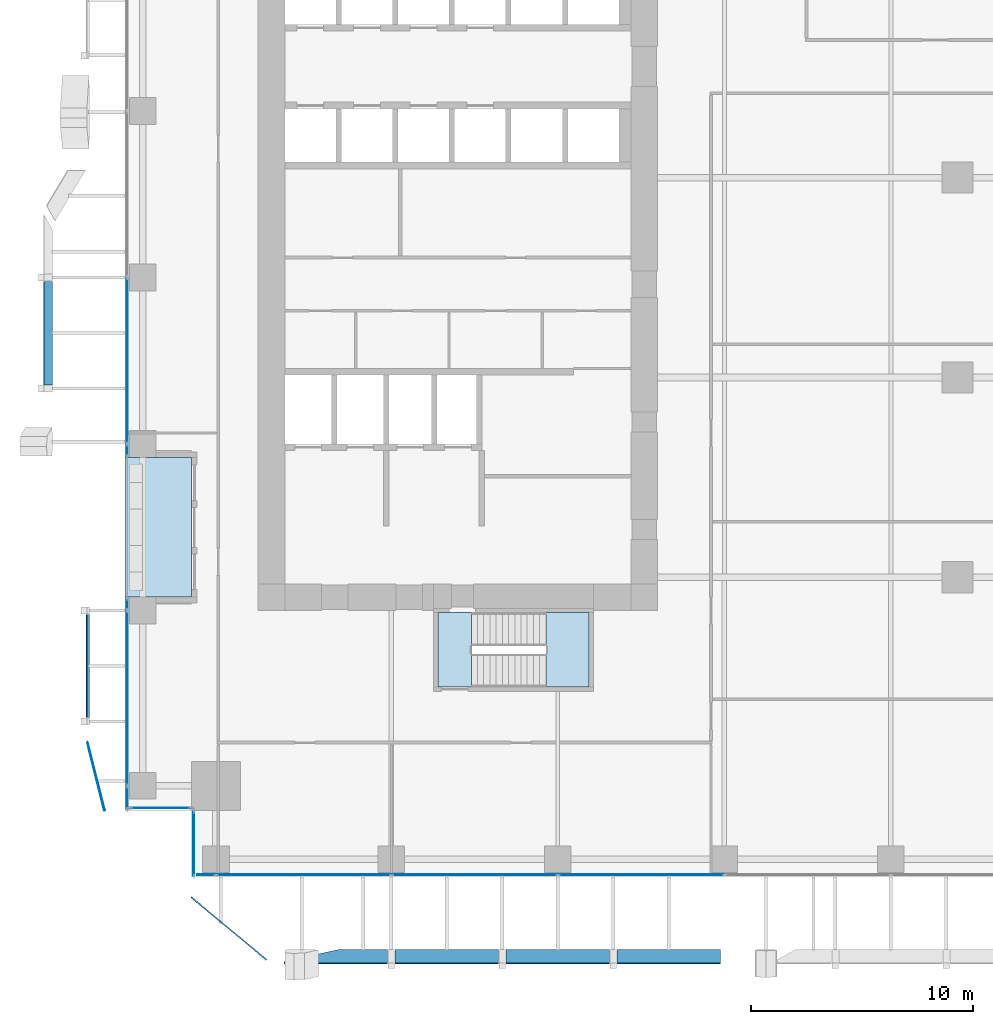
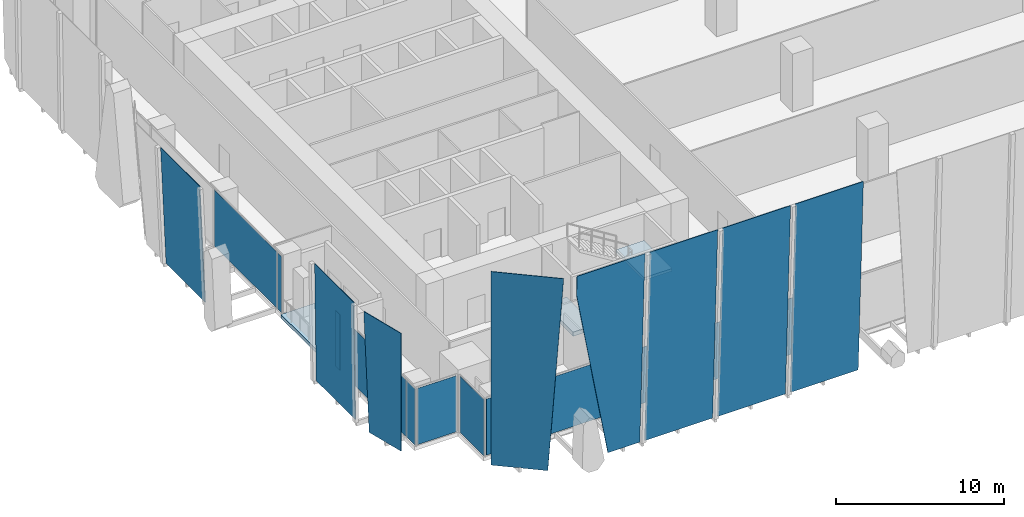
# One storey, part 22 of 35: 19 plates, 3 slabs, 6 elements without a shape of their own.
"""IFC4 building model written with IfcOpenShell, lengths in metres."""

from ifc_helpers import new_model, si_unit, direction, frame, origin, origin_2d, place, context, subcontext, project, spatial, polyline, rectangle, outline, extrude, source, transform, mapped, material, layer, layer_set, type_object, element, aggregate, save


model = new_model("IFC4")

# Units and contexts
model_context = context("Model", 3, precision=1e-05, world=origin(), true_north=direction((0.0, 1.0)))
body_context = subcontext(model_context, "Body", "Model", "MODEL_VIEW")
ifc_project = project(units=[si_unit("LENGTHUNIT", "METRE"), si_unit("AREAUNIT", "SQUARE_METRE"), si_unit("VOLUMEUNIT", "CUBIC_METRE"), si_unit("PLANEANGLEUNIT", "RADIAN"), si_unit("MASSUNIT", "GRAM", prefix="KILO")], contexts=[model_context])

# Site, building, storey
site_placement = place(None, origin())
site = spatial("IfcSite", under=ifc_project, at=site_placement, CompositionType="ELEMENT")
building_placement = place(site_placement, origin())
building = spatial("IfcBuilding", under=site, at=building_placement, Name="Khomas Fold Tower", CompositionType="ELEMENT")
storey_placement = place(building_placement, frame((0.0, 0.0, 87.0)))
storey = spatial("IfcBuildingStorey", under=building, at=storey_placement, Name="L18", CompositionType="ELEMENT", Elevation=87.0)

# Plates
ifc_material_1 = material(Name="Clear laminated glass", Category="glass")
ifc_layer_1 = layer(ifc_material_1, 0.0400390625)
ifc_layer_set_1 = layer_set([ifc_layer_1], Name="Clear laminated glass")
plate_type_1 = type_object("IfcPlateType", Name="SK-Clear laminated glass leaf", PredefinedType="SHEET", material=ifc_layer_set_1)
plate_1_placement = place(storey_placement, frame((5.612060546875, -3.12890625, 0.0), z_axis=(-0.64019360214, -0.768213610751, 5.971845e-06), x_axis=(-0.768213610765, 0.640193602151, 1.46e-10)))
element("IfcPlate", 1, at=plate_1_placement, inside=storey, type_object=plate_type_1, Name="OUTER SKIN glass L18 SG098-1", PredefinedType="SHEET", context=body_context, shape_type="SweptSolid", body=[
    extrude(outline(polyline([(0.0, 0.0), (3.433614024530022, 0.0), (3.4336140265803397, -14.050048827874466), (-0.9612143656218723, -14.050048829016868), (0.0, 0.0)])), origin(), (0.0, 0.0, -1.0), 0.0400390625),
])
plate_2_placement = place(storey_placement, frame((9.64306640625, -3.264892578125, 0.0), z_axis=(6.173599e-06, 0.9990418419, 0.04376526129), x_axis=(-0.191990002581, -0.042949906813, 0.980456599964)))
element("IfcPlate", 2, at=plate_2_placement, inside=storey, type_object=plate_type_1, Name="OUTER SKIN glass L18 SG099-2", PredefinedType="SHEET", context=body_context, shape_type="SweptSolid", body=[
    extrude(outline(polyline([(0.0, 0.0), (12.8816318467629, 4.440892098500626e-16), (14.276716873186185, 0.27291953250977663), (13.382013462719566, 4.846382343213035), (-0.4198843855280786, 2.1463264804211963), (0.0, 0.0)])), origin(), (0.0, 0.0, -1.0), 0.0400390625),
])
for number, where, z_axis, x_axis, name in (
    (3, (12.169921875, -3.264892578125, 0.0), (0.0, 0.999041889432, 0.043764176671), (0.0, -0.043764176671, 0.999041889432), "OUTER SKIN glass L18 SG100-4"),
    (4, (17.169921875, -3.264892578125, 0.0), (0.0, 0.999041889432, 0.043764176671), (0.0, -0.043764176671, 0.999041889432), "OUTER SKIN glass L18 SG101-6"),
):
    element("IfcPlate", number, at=place(storey_placement, frame(where, z_axis=z_axis, x_axis=x_axis)), inside=storey, type_object=plate_type_1, Name=name, PredefinedType="SHEET", context=body_context, shape_type="SweptSolid", body=[
        extrude(outline(polyline([(0.0, 0.0), (14.06352323836003, 0.0), (14.06352323836003, 4.66015625), (0.0, 4.66015625), (0.0, 0.0)])), origin(), (0.0, 0.0, -1.0), 0.0400390625),
    ])
plate_3_placement = place(storey_placement, frame((26.799560546875, -3.264892578125, 0.0), z_axis=(-4.849982e-06, 0.99904188896, 0.043764187185), x_axis=(-0.999999999988, -4.845335e-06, -2.12256e-07)))
element("IfcPlate", 5, at=plate_3_placement, inside=storey, type_object=plate_type_1, Name="OUTER SKIN glass L18 SG102-8", PredefinedType="SHEET", context=body_context, shape_type="SweptSolid", body=[
    extrude(outline(polyline([(0.0, 0.0), (4.62963867182055, 1.2254551528002394e-22), (4.629638671819833, 14.063523238360032), (-0.030517578125358925, 14.063523238360032), (-0.030517578343876528, 0.23533091673375628), (0.0, 0.0)])), origin(), (0.0, 0.0, -1.0), 0.0400390625),
])
plate_4_placement = place(storey_placement, frame((-1.71044921875, 6.077392578125, 8.550048828125), z_axis=(-0.970144933771, -0.242525890305, 3.190864e-06), x_axis=(0.013118827627, -0.052490685981, -0.998535239362)))
element("IfcPlate", 6, at=plate_4_placement, inside=storey, type_object=plate_type_1, Name="OUTER SKIN glass L18 WG098-1", PredefinedType="SHEET", context=body_context, shape_type="SweptSolid", body=[
    extrude(outline(polyline([(0.0, 0.0), (8.56259097443413, 5.551115123125783e-17), (8.709696278330705, 2.7148915955346533), (0.1721712251855478, 3.1774939404229476), (0.0, 0.0)])), origin(), (0.0, 0.0, -1.0), 0.0400390625),
])
plate_5_placement = place(storey_placement, frame((-1.609375, 7.169921875, 0.0), z_axis=(0.999913371991, 0.0, 0.013162390123), x_axis=(-0.013162390123, 0.0, 0.999913371991)))
element("IfcPlate", 7, at=plate_5_placement, inside=storey, type_object=plate_type_1, Name="OUTER SKIN glass L18 WG099-3", PredefinedType="SHEET", context=body_context, shape_type="SweptSolid", body=[
    extrude(outline(polyline([(0.0, 0.0), (8.550789566001143, 0.0), (8.550789566001143, -4.660156250000001), (0.0, -4.660156250000001), (0.0, 0.0)])), origin(), (0.0, 0.0, -1.0), 0.0400390625),
])
plate_6_placement = place(storey_placement, frame((-3.639404296875, 26.830078125, 8.550048828125), z_axis=(0.999042057933, 0.0, 0.043760329998), x_axis=(0.043760329998, 0.0, -0.999042057933)))
element("IfcPlate", 8, at=plate_6_placement, inside=storey, type_object=plate_type_1, Name="OUTER SKIN glass L18 WG102-6", PredefinedType="SHEET", context=body_context, shape_type="SweptSolid", body=[
    extrude(outline(polyline([(0.0, 0.0), (8.558247133075952, 0.0), (8.558247133075952, -4.66015625), (0.0, -4.66015625), (0.0, 0.0)])), origin(), (0.0, 0.0, -1.0), 0.0400390625),
])

# Curtain wall, plates
ifc_material_2 = material(Name="Aluminium framed double glazing", Category="aluminium")
curtain_wall_type = type_object("IfcCurtainWallType", Name="SK-Unitised clear-glass wall, growing floors CW1", PredefinedType="NOTDEFINED", material=ifc_material_2)
curtain_wall_1_placement = place(storey_placement, origin())
curtain_wall_1 = element("IfcCurtainWall", 9, at=curtain_wall_1_placement, inside=storey, type_object=curtain_wall_type, Name="CW1 run L18 00-0", PredefinedType="NOTDEFINED")
ifc_material_3 = material(Name="Clear double glazed unit")
ifc_layer_2 = layer(ifc_material_3, 0.031982421875)
ifc_layer_set_2 = layer_set([ifc_layer_2], Name="Clear double glazed unit")
plate_type_2 = type_object("IfcPlateType", Name="SK-Unitised clear-glass wall, growing floors glass panel CW1-P", PredefinedType="CURTAIN_PANEL", material=ifc_layer_set_2)
shared_shape_1 = source(origin(), body_context, "Body", "SweptSolid", [
    extrude(rectangle(XDim=0.81005859375, YDim=0.031982421875, at=origin_2d()), origin(), (0.0, 0.0, 1.0), 4.080078125),
])
plate_7_placement = place(storey_placement, frame((3.6650390625, 0.10009765625, 0.0), z_axis=(0.0, 0.0, 1.0), x_axis=(1.0, 0.0, 0.0)))
plate_7 = element("IfcPlate", 10, at=plate_7_placement, type_object=plate_type_2, Name="CW1 glass panel 1", PredefinedType="CURTAIN_PANEL", context=body_context, shape_type="MappedRepresentation", body=[
    mapped(shared_shape_1, transform((0.0, 0.0, 0.0))),
])
shared_shape_2 = source(origin(), body_context, "Body", "SweptSolid", [
    extrude(rectangle(XDim=7.840087890625, YDim=0.031982421875, at=origin_2d()), origin(), (0.0, 0.0, 1.0), 4.080078125),
])
plate_8_placement = place(storey_placement, frame((8.050048828125, 0.10009765625, 0.0), z_axis=(0.0, 0.0, 1.0), x_axis=(1.0, 0.0, 0.0)))
plate_8 = element("IfcPlate", 11, at=plate_8_placement, type_object=plate_type_2, Name="CW1 glass panel 2", PredefinedType="CURTAIN_PANEL", context=body_context, shape_type="MappedRepresentation", body=[
    mapped(shared_shape_2, transform((0.0, 0.0, 0.0))),
])

# Curtain wall, plate
curtain_wall_2_placement = place(storey_placement, origin())
curtain_wall_2 = element("IfcCurtainWall", 12, at=curtain_wall_2_placement, inside=storey, type_object=curtain_wall_type, Name="CW1 run L18 09-1", PredefinedType="NOTDEFINED")
plate_9_placement = place(storey_placement, frame((0.10009765625, 8.050048828125, 0.0), z_axis=(0.0, 0.0, 1.0), x_axis=(0.0, -1.0, 0.0)))
plate_9 = element("IfcPlate", 13, at=plate_9_placement, type_object=plate_type_2, Name="CW1 glass panel 2", PredefinedType="CURTAIN_PANEL", context=body_context, shape_type="MappedRepresentation", body=[
    mapped(shared_shape_2, transform((0.0, 0.0, 0.0))),
])

# Plate
shared_shape_3 = source(origin(), body_context, "Body", "SweptSolid", [
    extrude(rectangle(XDim=7.43994140625, YDim=0.031982421875, at=origin_2d()), origin(), (0.0, 0.0, 1.0), 4.080078125),
])
plate_10_placement = place(storey_placement, frame((15.75, 0.10009765625, 0.0), z_axis=(0.0, 0.0, 1.0), x_axis=(1.0, 0.0, 0.0)))
plate_10 = element("IfcPlate", 14, at=plate_10_placement, type_object=plate_type_2, Name="CW1 glass panel 3", PredefinedType="CURTAIN_PANEL", context=body_context, shape_type="MappedRepresentation", body=[
    mapped(shared_shape_3, transform((0.0, 0.0, 0.0))),
])

plate_11_placement = place(storey_placement, frame((23.25, 0.10009765625, 0.0), z_axis=(0.0, 0.0, 1.0), x_axis=(1.0, 0.0, 0.0)))
plate_11 = element("IfcPlate", 15, at=plate_11_placement, type_object=plate_type_2, Name="CW1 glass panel 4", PredefinedType="CURTAIN_PANEL", context=body_context, shape_type="MappedRepresentation", body=[
    mapped(shared_shape_3, transform((0.0, 0.0, 0.0))),
])

aggregate(curtain_wall_1, [plate_7, plate_8, plate_10, plate_11])

# Curtain wall, plate
curtain_wall_3_placement = place(storey_placement, origin())
curtain_wall_3 = element("IfcCurtainWall", 16, at=curtain_wall_3_placement, inside=storey, type_object=curtain_wall_type, Name="CW1 run L18 09-0", PredefinedType="NOTDEFINED")
plate_12_placement = place(storey_placement, frame((0.10009765625, 23.25, 0.0), z_axis=(0.0, 0.0, 1.0), x_axis=(0.0, -1.0, 0.0)))
plate_12 = element("IfcPlate", 17, at=plate_12_placement, type_object=plate_type_2, Name="CW1 glass panel 5", PredefinedType="CURTAIN_PANEL", context=body_context, shape_type="MappedRepresentation", body=[
    mapped(shared_shape_3, transform((0.0, 0.0, 0.0))),
])

# Plate
shared_shape_4 = source(origin(), body_context, "Body", "SweptSolid", [
    extrude(rectangle(XDim=1.010009765625, YDim=0.031982421875, at=origin_2d()), origin(), (0.0, 0.0, 1.0), 4.080078125),
])
plate_13_placement = place(storey_placement, frame((0.10009765625, 3.56494140625, 0.0), z_axis=(0.0, 0.0, 1.0), x_axis=(0.0, -1.0, 0.0)))
plate_13 = element("IfcPlate", 18, at=plate_13_placement, type_object=plate_type_2, Name="CW1 glass panel 3", PredefinedType="CURTAIN_PANEL", context=body_context, shape_type="MappedRepresentation", body=[
    mapped(shared_shape_4, transform((0.0, 0.0, 0.0))),
])

# Curtain wall, plate
curtain_wall_4_placement = place(storey_placement, origin())
curtain_wall_4 = element("IfcCurtainWall", 19, at=curtain_wall_4_placement, inside=storey, type_object=curtain_wall_type, Name="CW1 corner return L18 10", PredefinedType="NOTDEFINED")
shared_shape_5 = source(origin(), body_context, "Body", "SweptSolid", [
    extrude(rectangle(XDim=2.679931640625, YDim=0.031982421875, at=origin_2d()), origin(), (0.0, 0.0, 1.0), 4.080078125),
])
plate_14_placement = place(storey_placement, frame((1.60009765625, 3.10009765625, 0.0), z_axis=(0.0, 0.0, 1.0), x_axis=(1.0, 0.0, 0.0)))
plate_14 = element("IfcPlate", 20, at=plate_14_placement, type_object=plate_type_2, Name="CW1 glass panel 1", PredefinedType="CURTAIN_PANEL", context=body_context, shape_type="MappedRepresentation", body=[
    mapped(shared_shape_5, transform((0.0, 0.0, 0.0))),
])
aggregate(curtain_wall_4, [plate_14])

curtain_wall_5_placement = place(storey_placement, origin())
curtain_wall_5 = element("IfcCurtainWall", 21, at=curtain_wall_5_placement, inside=storey, type_object=curtain_wall_type, Name="CW1 corner return L18 11", PredefinedType="NOTDEFINED")
shared_shape_6 = source(origin(), body_context, "Body", "SweptSolid", [
    extrude(rectangle(XDim=2.8798828125, YDim=0.031982421875, at=origin_2d()), origin(), (0.0, 0.0, 1.0), 4.080078125),
])
plate_15_placement = place(storey_placement, frame((3.10009765625, 1.5, 0.0), z_axis=(0.0, 0.0, 1.0), x_axis=(0.0, -1.0, 0.0)))
plate_15 = element("IfcPlate", 22, at=plate_15_placement, type_object=plate_type_2, Name="CW1 glass panel 1", PredefinedType="CURTAIN_PANEL", context=body_context, shape_type="MappedRepresentation", body=[
    mapped(shared_shape_6, transform((0.0, 0.0, 0.0))),
])
aggregate(curtain_wall_5, [plate_15])

# Plate
shared_shape_7 = source(origin(), body_context, "Body", "SweptSolid", [
    extrude(rectangle(XDim=0.510009765625, YDim=0.031982421875, at=origin_2d()), origin(), (0.0, 0.0, 1.0), 4.080078125),
])
plate_16_placement = place(storey_placement, frame((0.10009765625, 19.215087890625, 0.0), z_axis=(0.0, 0.0, 1.0), x_axis=(0.0, -1.0, 0.0)))
plate_16 = element("IfcPlate", 23, at=plate_16_placement, type_object=plate_type_2, Name="CW1 glass panel 6", PredefinedType="CURTAIN_PANEL", context=body_context, shape_type="MappedRepresentation", body=[
    mapped(shared_shape_7, transform((0.0, 0.0, 0.0))),
])

aggregate(curtain_wall_3, [plate_12, plate_16])

plate_17_placement = place(storey_placement, frame((0.10009765625, 12.284912109375, 0.0), z_axis=(0.0, 0.0, 1.0), x_axis=(0.0, -1.0, 0.0)))
plate_17 = element("IfcPlate", 24, at=plate_17_placement, type_object=plate_type_2, Name="CW1 glass panel 1", PredefinedType="CURTAIN_PANEL", context=body_context, shape_type="MappedRepresentation", body=[
    mapped(shared_shape_7, transform((0.0, 0.0, 0.0))),
])

aggregate(curtain_wall_2, [plate_17, plate_9, plate_13])

# Slab
ifc_material_4 = material(Name="Concrete C40/50", Category="concrete")
ifc_layer_3 = layer(ifc_material_4, 0.2548828125)
ifc_layer_set_3 = layer_set([ifc_layer_3], Name="Concrete C40/50")
slab_type_1 = type_object("IfcSlabType", Name="BL-Balcony deck 255", PredefinedType="FLOOR", material=ifc_layer_set_3)
shared_shape_8 = source(origin(), body_context, "Body", "SweptSolid", [
    extrude(outline(polyline([(0.0, 12.60009765625), (3.0, 12.60009765625), (3.0, 18.89990234375), (0.0, 18.89990234375), (0.0, 12.60009765625)])), origin(), (0.0, 0.0, 1.0), 0.255126953125),
])
slab_1_placement = place(storey_placement, frame((0.0, 0.0, -0.300048828125)))
element("IfcSlab", 25, at=slab_1_placement, inside=storey, type_object=slab_type_1, Name="Balcony deck BAL-L18-W1", PredefinedType="FLOOR", context=body_context, shape_type="MappedRepresentation", body=[
    mapped(shared_shape_8, transform((0.0, 0.0, 0.0))),
])

# Stair, slab
ifc_material_5 = material(Name="Concrete C40/50", Category="concrete")
stair_type = type_object("IfcStairType", Name="Stair ST2", PredefinedType="HALF_TURN_STAIR", material=ifc_material_5)
stair_placement = place(storey_placement, origin())
stair = element("IfcStair", 26, at=stair_placement, inside=storey, type_object=stair_type, Name="L18 ST2", PredefinedType="HALF_TURN_STAIR")
ifc_material_6 = material(Name="Concrete C40/50", Category="concrete")
ifc_layer_4 = layer(ifc_material_6, 0.199951171875)
ifc_layer_set_4 = layer_set([ifc_layer_4], Name="Concrete C40/50")
slab_type_2 = type_object("IfcSlabType", Name="Stair landing 200", PredefinedType="LANDING", material=ifc_layer_set_4)
shared_shape_9 = source(origin(), body_context, "Body", "SweptSolid", [
    extrude(outline(polyline([(18.9599609375, 8.550048828125), (20.89990234375, 8.550048828125), (20.89990234375, 11.89990234375), (18.9599609375, 11.89990234375), (18.9599609375, 8.550048828125)])), origin(), (0.0, 0.0, 1.0), 0.199951171875),
])
slab_2_placement = place(storey_placement, frame((0.0, 0.0, 2.050048828125)))
slab_2 = element("IfcSlab", 27, at=slab_2_placement, type_object=slab_type_2, Name="ST2 landing 1", PredefinedType="LANDING", context=body_context, shape_type="MappedRepresentation", body=[
    mapped(shared_shape_9, transform((0.0, 0.0, 0.0))),
])
aggregate(stair, [slab_2])

# Slab
ifc_material_7 = material(Name="Concrete C40/50", Category="concrete")
ifc_layer_5 = layer(ifc_material_7, 0.300048828125)
ifc_layer_set_5 = layer_set([ifc_layer_5], Name="Concrete C40/50")
slab_type_3 = type_object("IfcSlabType", Name="Stair floor landing 300", PredefinedType="LANDING", material=ifc_layer_set_5)
shared_shape_10 = source(origin(), body_context, "Body", "SweptSolid", [
    extrude(outline(polyline([(15.60009765625, 8.550048828125), (14.10009765625, 8.550048828125), (14.10009765625, 11.89990234375), (15.60009765625, 11.89990234375), (15.60009765625, 8.550048828125)])), origin(), (0.0, 0.0, 1.0), 0.300048828125),
])
slab_3_placement = place(storey_placement, frame((0.0, 0.0, -0.300048828125)))
element("IfcSlab", 28, at=slab_3_placement, inside=storey, type_object=slab_type_3, Name="ST2 floor landing", PredefinedType="LANDING", context=body_context, shape_type="MappedRepresentation", body=[
    mapped(shared_shape_10, transform((0.0, 0.0, 0.0))),
])

save(model, "model.ifc")
